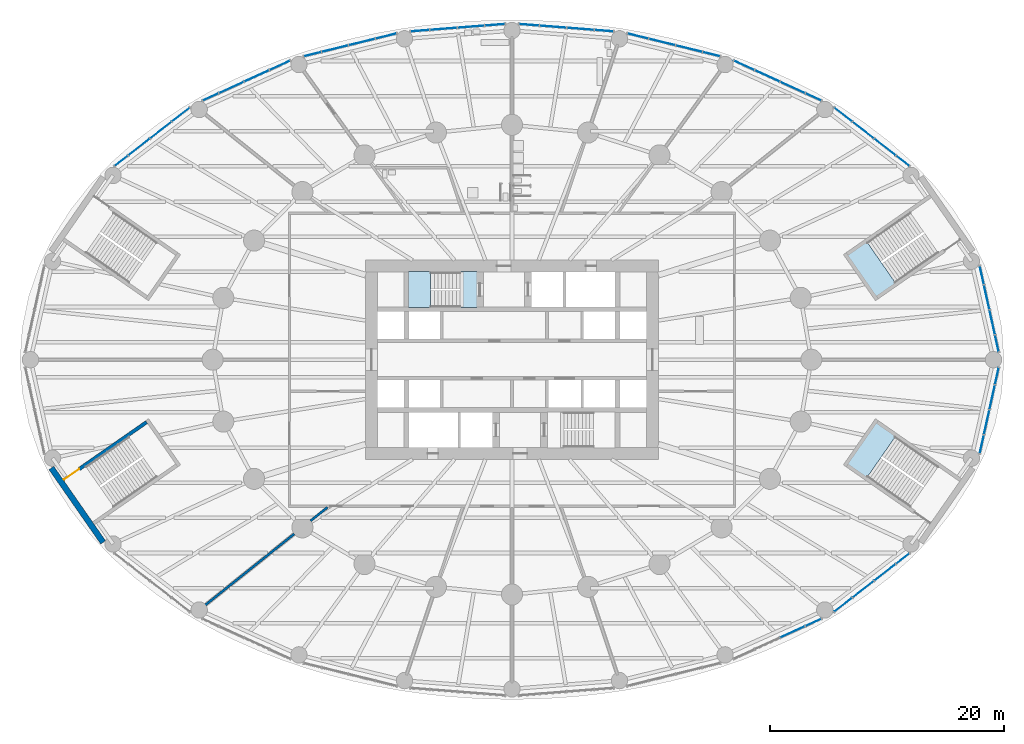
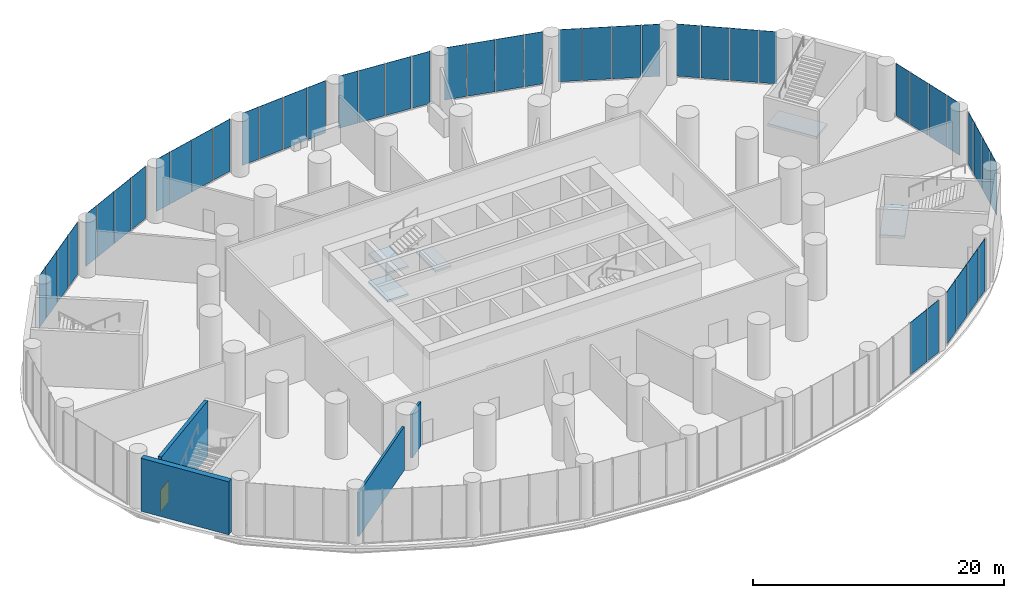
# One storey, part 15 of 23: 46 plates, 5 slabs, 4 walls, 1 door, 1 opening, 15 elements without a shape of their own.
"""IFC4 building model written with IfcOpenShell, lengths in metres."""

from ifc_helpers import new_model, si_unit, direction, frame, frame_2d, origin, origin_2d, place, context, subcontext, project, spatial, polyline, rectangle, outline, extrude, material, layer, layer_set, type_object, element, fill, aggregate, save


model = new_model("IFC4")

# Units and contexts
model_context = context("Model", 3, precision=1e-05, world=origin(), true_north=direction((0.0, 1.0)))
body_context = subcontext(model_context, "Body", "Model", "MODEL_VIEW")
ifc_project = project(units=[si_unit("LENGTHUNIT", "METRE"), si_unit("AREAUNIT", "SQUARE_METRE"), si_unit("VOLUMEUNIT", "CUBIC_METRE"), si_unit("PLANEANGLEUNIT", "RADIAN"), si_unit("MASSUNIT", "GRAM", prefix="KILO")], contexts=[model_context])

# Site, building, storey
site_placement = place(None, origin())
site = spatial("IfcSite", under=ifc_project, at=site_placement, CompositionType="ELEMENT")
building_placement = place(site_placement, origin())
building = spatial("IfcBuilding", under=site, at=building_placement, Name="Hankou Lantern Tower", CompositionType="ELEMENT")
storey_placement = place(building_placement, frame((0.0, 0.0, 19.199951171875)))
storey = spatial("IfcBuildingStorey", under=building, at=storey_placement, Name="L03", CompositionType="ELEMENT", Elevation=19.199951171875)

# Curtain wall, plates
ifc_material_1 = material(Name="Glass, dark grey tinted laminated", Category="glass")
curtain_wall_type = type_object("IfcCurtainWallType", Name="CWP PODIUM CURTAIN WALL", PredefinedType="USERDEFINED", material=ifc_material_1)
curtain_wall_1_placement = place(storey_placement, origin())
curtain_wall_1 = element("IfcCurtainWall", 1, at=curtain_wall_1_placement, inside=storey, type_object=curtain_wall_type, Name="CWP L03 PC01", ObjectType="PODIUM GLAZING", PredefinedType="USERDEFINED")
ifc_material_2 = material(Name="Glass, dark grey tinted laminated", Category="glass")
ifc_layer_1 = layer(ifc_material_2, 0.037109375)
ifc_layer_set_1 = layer_set([ifc_layer_1], Name="Glass, dark grey tinted laminated")
plate_type = type_object("IfcPlateType", Name="PN2 PODIUM GLASS PANEL", PredefinedType="CURTAIN_PANEL", material=ifc_layer_set_1)
plate_1_placement = place(storey_placement, frame((33.356689453125, 16.977294921875, 0.080078125), z_axis=(0.0, 0.0, 1.0), x_axis=(-0.790129760642, 0.612939606608, 0.0)))
plate_1 = element("IfcPlate", 2, at=plate_1_placement, type_object=plate_type, Name="CWP glass panel 1", PredefinedType="CURTAIN_PANEL", context=body_context, shape_type="SweptSolid", body=[
    extrude(rectangle(XDim=1.409423828125, YDim=0.031982421875, at=origin_2d()), origin(), (0.0, 0.0, 1.0), 5.070068359375),
])
plate_2_placement = place(storey_placement, frame((31.83935546875, 18.154296875, 0.080078125), z_axis=(0.0, 0.0, 1.0), x_axis=(-0.790129760642, 0.612939606608, 0.0)))
plate_2 = element("IfcPlate", 3, at=plate_2_placement, type_object=plate_type, Name="CWP glass panel 2", PredefinedType="CURTAIN_PANEL", context=body_context, shape_type="SweptSolid", body=[
    extrude(rectangle(XDim=2.270751953125, YDim=0.031982421875, at=origin_2d()), origin(), (0.0, 0.0, 1.0), 5.070068359375),
])
plate_3_placement = place(storey_placement, frame((29.98193359375, 19.59521484375, 0.080078125), z_axis=(0.0, 0.0, 1.0), x_axis=(-0.790129760642, 0.612939606608, 0.0)))
plate_3 = element("IfcPlate", 4, at=plate_3_placement, type_object=plate_type, Name="CWP glass panel 3", PredefinedType="CURTAIN_PANEL", context=body_context, shape_type="SweptSolid", body=[
    extrude(rectangle(XDim=2.270751953125, YDim=0.031982421875, at=origin_2d()), origin(), (0.0, 0.0, 1.0), 5.070068359375),
])
plate_4_placement = place(storey_placement, frame((28.27001953125, 20.923095703125, 0.080078125), z_axis=(0.0, 0.0, 1.0), x_axis=(-0.790129760642, 0.612939606608, 0.0)))
plate_4 = element("IfcPlate", 5, at=plate_4_placement, type_object=plate_type, Name="CWP glass panel 4", PredefinedType="CURTAIN_PANEL", context=body_context, shape_type="SweptSolid", body=[
    extrude(rectangle(XDim=1.90234375, YDim=0.031982421875, at=origin_2d()), origin(), (0.0, 0.0, 1.0), 5.070068359375),
])
aggregate(curtain_wall_1, [plate_1, plate_2, plate_3, plate_4])

curtain_wall_2_placement = place(storey_placement, origin())
curtain_wall_2 = element("IfcCurtainWall", 6, at=curtain_wall_2_placement, inside=storey, type_object=curtain_wall_type, Name="CWP L03 PC02", ObjectType="PODIUM GLAZING", PredefinedType="USERDEFINED")
plate_5_placement = place(storey_placement, frame((25.72802734375, 22.4267578125, 0.080078125), z_axis=(0.0, 0.0, 1.0), x_axis=(-0.909669790944, 0.41533224224, 0.0)))
plate_5 = element("IfcPlate", 7, at=plate_5_placement, type_object=plate_type, Name="CWP glass panel 1", PredefinedType="CURTAIN_PANEL", context=body_context, shape_type="SweptSolid", body=[
    extrude(rectangle(XDim=1.445068359375, YDim=0.031982421875, at=origin_2d()), origin(), (0.0, 0.0, 1.0), 5.070068359375),
])
plate_6_placement = place(storey_placement, frame((23.95361328125, 23.23681640625, 0.080078125), z_axis=(0.0, 0.0, 1.0), x_axis=(-0.909669790944, 0.41533224224, 0.0)))
plate_6 = element("IfcPlate", 8, at=plate_6_placement, type_object=plate_type, Name="CWP glass panel 2", PredefinedType="CURTAIN_PANEL", context=body_context, shape_type="SweptSolid", body=[
    extrude(rectangle(XDim=2.2958984375, YDim=0.031982421875, at=origin_2d()), origin(), (0.0, 0.0, 1.0), 5.070068359375),
])
plate_7_placement = place(storey_placement, frame((21.792236328125, 24.2236328125, 0.080078125), z_axis=(0.0, 0.0, 1.0), x_axis=(-0.909669790944, 0.41533224224, 0.0)))
plate_7 = element("IfcPlate", 9, at=plate_7_placement, type_object=plate_type, Name="CWP glass panel 3", PredefinedType="CURTAIN_PANEL", context=body_context, shape_type="SweptSolid", body=[
    extrude(rectangle(XDim=2.2958984375, YDim=0.031982421875, at=origin_2d()), origin(), (0.0, 0.0, 1.0), 5.070068359375),
])
plate_8_placement = place(storey_placement, frame((19.812744140625, 25.12744140625, 0.080078125), z_axis=(0.0, 0.0, 1.0), x_axis=(-0.909669790944, 0.41533224224, 0.0)))
plate_8 = element("IfcPlate", 10, at=plate_8_placement, type_object=plate_type, Name="CWP glass panel 4", PredefinedType="CURTAIN_PANEL", context=body_context, shape_type="SweptSolid", body=[
    extrude(rectangle(XDim=1.896240234375, YDim=0.031982421875, at=origin_2d()), origin(), (0.0, 0.0, 1.0), 5.070068359375),
])
aggregate(curtain_wall_2, [plate_5, plate_6, plate_7, plate_8])

curtain_wall_3_placement = place(storey_placement, origin())
curtain_wall_3 = element("IfcCurtainWall", 11, at=curtain_wall_3_placement, inside=storey, type_object=curtain_wall_type, Name="CWP L03 PC03", ObjectType="PODIUM GLAZING", PredefinedType="USERDEFINED")
plate_9_placement = place(storey_placement, frame((17.02001953125, 26.080810546875, 0.080078125), z_axis=(0.0, 0.0, 1.0), x_axis=(-0.970960955091, 0.239238006364, 0.0)))
plate_9 = element("IfcPlate", 12, at=plate_9_placement, type_object=plate_type, Name="CWP glass panel 1", PredefinedType="CURTAIN_PANEL", context=body_context, shape_type="SweptSolid", body=[
    extrude(rectangle(XDim=1.497314453125, YDim=0.031982421875, at=origin_2d()), origin(), (0.0, 0.0, 1.0), 5.070068359375),
])
plate_10_placement = place(storey_placement, frame((15.1064453125, 26.552490234375, 0.080078125), z_axis=(0.0, 0.0, 1.0), x_axis=(-0.970960955091, 0.239238006364, 0.0)))
plate_10 = element("IfcPlate", 13, at=plate_10_placement, type_object=plate_type, Name="CWP glass panel 2", PredefinedType="CURTAIN_PANEL", context=body_context, shape_type="SweptSolid", body=[
    extrude(rectangle(XDim=2.284423828125, YDim=0.031982421875, at=origin_2d()), origin(), (0.0, 0.0, 1.0), 5.070068359375),
])
plate_11_placement = place(storey_placement, frame((12.810791015625, 27.1181640625, 0.080078125), z_axis=(0.0, 0.0, 1.0), x_axis=(-0.970960955091, 0.239238006364, 0.0)))
plate_11 = element("IfcPlate", 14, at=plate_11_placement, type_object=plate_type, Name="CWP glass panel 3", PredefinedType="CURTAIN_PANEL", context=body_context, shape_type="SweptSolid", body=[
    extrude(rectangle(XDim=2.284423828125, YDim=0.031982421875, at=origin_2d()), origin(), (0.0, 0.0, 1.0), 5.070068359375),
])
plate_12_placement = place(storey_placement, frame((10.74658203125, 27.626708984375, 0.080078125), z_axis=(0.0, 0.0, 1.0), x_axis=(-0.970960955091, 0.239238006364, 0.0)))
plate_12 = element("IfcPlate", 15, at=plate_12_placement, type_object=plate_type, Name="CWP glass panel 4", PredefinedType="CURTAIN_PANEL", context=body_context, shape_type="SweptSolid", body=[
    extrude(rectangle(XDim=1.80712890625, YDim=0.031982421875, at=origin_2d()), origin(), (0.0, 0.0, 1.0), 5.070068359375),
])
aggregate(curtain_wall_3, [plate_9, plate_10, plate_11, plate_12])

curtain_wall_4_placement = place(storey_placement, origin())
curtain_wall_4 = element("IfcCurtainWall", 16, at=curtain_wall_4_placement, inside=storey, type_object=curtain_wall_type, Name="CWP L03 PC04", ObjectType="PODIUM GLAZING", PredefinedType="USERDEFINED")
plate_13_placement = place(storey_placement, frame((7.85205078125, 28.085205078125, 0.080078125), z_axis=(0.0, 0.0, 1.0), x_axis=(-0.996948515213, 0.078061885796, 0.0)))
plate_13 = element("IfcPlate", 17, at=plate_13_placement, type_object=plate_type, Name="CWP glass panel 1", PredefinedType="CURTAIN_PANEL", context=body_context, shape_type="SweptSolid", body=[
    extrude(rectangle(XDim=1.57861328125, YDim=0.031982421875, at=origin_2d()), origin(), (0.0, 0.0, 1.0), 5.070068359375),
])
plate_14_placement = place(storey_placement, frame((5.8544921875, 28.24169921875, 0.080078125), z_axis=(0.0, 0.0, 1.0), x_axis=(-0.996948515213, 0.078061885796, 0.0)))
plate_14 = element("IfcPlate", 18, at=plate_14_placement, type_object=plate_type, Name="CWP glass panel 2", PredefinedType="CURTAIN_PANEL", context=body_context, shape_type="SweptSolid", body=[
    extrude(rectangle(XDim=2.26904296875, YDim=0.031982421875, at=origin_2d()), origin(), (0.0, 0.0, 1.0), 5.070068359375),
])
plate_15_placement = place(storey_placement, frame((3.5126953125, 28.425048828125, 0.080078125), z_axis=(0.0, 0.0, 1.0), x_axis=(-0.996948515213, 0.078061885796, 0.0)))
plate_15 = element("IfcPlate", 19, at=plate_15_placement, type_object=plate_type, Name="CWP glass panel 3", PredefinedType="CURTAIN_PANEL", context=body_context, shape_type="SweptSolid", body=[
    extrude(rectangle(XDim=2.26904296875, YDim=0.031982421875, at=origin_2d()), origin(), (0.0, 0.0, 1.0), 5.070068359375),
])
plate_16_placement = place(storey_placement, frame((1.460205078125, 28.585693359375, 0.080078125), z_axis=(0.0, 0.0, 1.0), x_axis=(-0.996948515213, 0.078061885796, 0.0)))
plate_16 = element("IfcPlate", 20, at=plate_16_placement, type_object=plate_type, Name="CWP glass panel 4", PredefinedType="CURTAIN_PANEL", context=body_context, shape_type="SweptSolid", body=[
    extrude(rectangle(XDim=1.688232421875, YDim=0.031982421875, at=origin_2d()), origin(), (0.0, 0.0, 1.0), 5.070068359375),
])
aggregate(curtain_wall_4, [plate_13, plate_14, plate_15, plate_16])

curtain_wall_5_placement = place(storey_placement, origin())
curtain_wall_5 = element("IfcCurtainWall", 21, at=curtain_wall_5_placement, inside=storey, type_object=curtain_wall_type, Name="CWP L03 PC05", ObjectType="PODIUM GLAZING", PredefinedType="USERDEFINED")
plate_17_placement = place(storey_placement, frame((-1.460205078125, 28.585693359375, 0.080078125), z_axis=(0.0, 0.0, 1.0), x_axis=(-0.996948515213, -0.078061885796, 0.0)))
plate_17 = element("IfcPlate", 22, at=plate_17_placement, type_object=plate_type, Name="CWP glass panel 1", PredefinedType="CURTAIN_PANEL", context=body_context, shape_type="SweptSolid", body=[
    extrude(rectangle(XDim=1.688232421875, YDim=0.031982421875, at=origin_2d()), origin(), (0.0, 0.0, 1.0), 5.070068359375),
])
plate_18_placement = place(storey_placement, frame((-3.5126953125, 28.425048828125, 0.080078125), z_axis=(0.0, 0.0, 1.0), x_axis=(-0.996948515213, -0.078061885796, 0.0)))
plate_18 = element("IfcPlate", 23, at=plate_18_placement, type_object=plate_type, Name="CWP glass panel 2", PredefinedType="CURTAIN_PANEL", context=body_context, shape_type="SweptSolid", body=[
    extrude(rectangle(XDim=2.26904296875, YDim=0.031982421875, at=origin_2d()), origin(), (0.0, 0.0, 1.0), 5.070068359375),
])
plate_19_placement = place(storey_placement, frame((-5.8544921875, 28.24169921875, 0.080078125), z_axis=(0.0, 0.0, 1.0), x_axis=(-0.996948515213, -0.078061885796, 0.0)))
plate_19 = element("IfcPlate", 24, at=plate_19_placement, type_object=plate_type, Name="CWP glass panel 3", PredefinedType="CURTAIN_PANEL", context=body_context, shape_type="SweptSolid", body=[
    extrude(rectangle(XDim=2.26904296875, YDim=0.031982421875, at=origin_2d()), origin(), (0.0, 0.0, 1.0), 5.070068359375),
])
plate_20_placement = place(storey_placement, frame((-7.85205078125, 28.085205078125, 0.080078125), z_axis=(0.0, 0.0, 1.0), x_axis=(-0.996948515213, -0.078061885796, 0.0)))
plate_20 = element("IfcPlate", 25, at=plate_20_placement, type_object=plate_type, Name="CWP glass panel 4", PredefinedType="CURTAIN_PANEL", context=body_context, shape_type="SweptSolid", body=[
    extrude(rectangle(XDim=1.57861328125, YDim=0.031982421875, at=origin_2d()), origin(), (0.0, 0.0, 1.0), 5.070068359375),
])
aggregate(curtain_wall_5, [plate_17, plate_18, plate_19, plate_20])

curtain_wall_6_placement = place(storey_placement, origin())
curtain_wall_6 = element("IfcCurtainWall", 26, at=curtain_wall_6_placement, inside=storey, type_object=curtain_wall_type, Name="CWP L03 PC06", ObjectType="PODIUM GLAZING", PredefinedType="USERDEFINED")
plate_21_placement = place(storey_placement, frame((-10.74658203125, 27.626708984375, 0.080078125), z_axis=(0.0, 0.0, 1.0), x_axis=(-0.970960955091, -0.239238006364, 0.0)))
plate_21 = element("IfcPlate", 27, at=plate_21_placement, type_object=plate_type, Name="CWP glass panel 1", PredefinedType="CURTAIN_PANEL", context=body_context, shape_type="SweptSolid", body=[
    extrude(rectangle(XDim=1.80712890625, YDim=0.031982421875, at=origin_2d()), origin(), (0.0, 0.0, 1.0), 5.070068359375),
])
plate_22_placement = place(storey_placement, frame((-12.810791015625, 27.1181640625, 0.080078125), z_axis=(0.0, 0.0, 1.0), x_axis=(-0.970960955091, -0.239238006364, 0.0)))
plate_22 = element("IfcPlate", 28, at=plate_22_placement, type_object=plate_type, Name="CWP glass panel 2", PredefinedType="CURTAIN_PANEL", context=body_context, shape_type="SweptSolid", body=[
    extrude(rectangle(XDim=2.284423828125, YDim=0.031982421875, at=origin_2d()), origin(), (0.0, 0.0, 1.0), 5.070068359375),
])
plate_23_placement = place(storey_placement, frame((-15.1064453125, 26.552490234375, 0.080078125), z_axis=(0.0, 0.0, 1.0), x_axis=(-0.970960955091, -0.239238006364, 0.0)))
plate_23 = element("IfcPlate", 29, at=plate_23_placement, type_object=plate_type, Name="CWP glass panel 3", PredefinedType="CURTAIN_PANEL", context=body_context, shape_type="SweptSolid", body=[
    extrude(rectangle(XDim=2.284423828125, YDim=0.031982421875, at=origin_2d()), origin(), (0.0, 0.0, 1.0), 5.070068359375),
])
plate_24_placement = place(storey_placement, frame((-17.02001953125, 26.080810546875, 0.080078125), z_axis=(0.0, 0.0, 1.0), x_axis=(-0.970960955091, -0.239238006364, 0.0)))
plate_24 = element("IfcPlate", 30, at=plate_24_placement, type_object=plate_type, Name="CWP glass panel 4", PredefinedType="CURTAIN_PANEL", context=body_context, shape_type="SweptSolid", body=[
    extrude(rectangle(XDim=1.497314453125, YDim=0.031982421875, at=origin_2d()), origin(), (0.0, 0.0, 1.0), 5.070068359375),
])
aggregate(curtain_wall_6, [plate_21, plate_22, plate_23, plate_24])

curtain_wall_7_placement = place(storey_placement, origin())
curtain_wall_7 = element("IfcCurtainWall", 31, at=curtain_wall_7_placement, inside=storey, type_object=curtain_wall_type, Name="CWP L03 PC07", ObjectType="PODIUM GLAZING", PredefinedType="USERDEFINED")
plate_25_placement = place(storey_placement, frame((-19.812744140625, 25.12744140625, 0.080078125), z_axis=(0.0, 0.0, 1.0), x_axis=(-0.909669790944, -0.41533224224, 0.0)))
plate_25 = element("IfcPlate", 32, at=plate_25_placement, type_object=plate_type, Name="CWP glass panel 1", PredefinedType="CURTAIN_PANEL", context=body_context, shape_type="SweptSolid", body=[
    extrude(rectangle(XDim=1.896240234375, YDim=0.031982421875, at=origin_2d()), origin(), (0.0, 0.0, 1.0), 5.070068359375),
])
plate_26_placement = place(storey_placement, frame((-21.792236328125, 24.2236328125, 0.080078125), z_axis=(0.0, 0.0, 1.0), x_axis=(-0.909669790944, -0.41533224224, 0.0)))
plate_26 = element("IfcPlate", 33, at=plate_26_placement, type_object=plate_type, Name="CWP glass panel 2", PredefinedType="CURTAIN_PANEL", context=body_context, shape_type="SweptSolid", body=[
    extrude(rectangle(XDim=2.2958984375, YDim=0.031982421875, at=origin_2d()), origin(), (0.0, 0.0, 1.0), 5.070068359375),
])
plate_27_placement = place(storey_placement, frame((-23.95361328125, 23.23681640625, 0.080078125), z_axis=(0.0, 0.0, 1.0), x_axis=(-0.909669790944, -0.41533224224, 0.0)))
plate_27 = element("IfcPlate", 34, at=plate_27_placement, type_object=plate_type, Name="CWP glass panel 3", PredefinedType="CURTAIN_PANEL", context=body_context, shape_type="SweptSolid", body=[
    extrude(rectangle(XDim=2.2958984375, YDim=0.031982421875, at=origin_2d()), origin(), (0.0, 0.0, 1.0), 5.070068359375),
])
plate_28_placement = place(storey_placement, frame((-25.72802734375, 22.4267578125, 0.080078125), z_axis=(0.0, 0.0, 1.0), x_axis=(-0.909669790944, -0.41533224224, 0.0)))
plate_28 = element("IfcPlate", 35, at=plate_28_placement, type_object=plate_type, Name="CWP glass panel 4", PredefinedType="CURTAIN_PANEL", context=body_context, shape_type="SweptSolid", body=[
    extrude(rectangle(XDim=1.445068359375, YDim=0.031982421875, at=origin_2d()), origin(), (0.0, 0.0, 1.0), 5.070068359375),
])
aggregate(curtain_wall_7, [plate_25, plate_26, plate_27, plate_28])

curtain_wall_8_placement = place(storey_placement, origin())
curtain_wall_8 = element("IfcCurtainWall", 36, at=curtain_wall_8_placement, inside=storey, type_object=curtain_wall_type, Name="CWP L03 PC08", ObjectType="PODIUM GLAZING", PredefinedType="USERDEFINED")
plate_29_placement = place(storey_placement, frame((-28.27001953125, 20.923095703125, 0.080078125), z_axis=(0.0, 0.0, 1.0), x_axis=(-0.790129760642, -0.612939606608, 0.0)))
plate_29 = element("IfcPlate", 37, at=plate_29_placement, type_object=plate_type, Name="CWP glass panel 1", PredefinedType="CURTAIN_PANEL", context=body_context, shape_type="SweptSolid", body=[
    extrude(rectangle(XDim=1.90234375, YDim=0.031982421875, at=origin_2d()), origin(), (0.0, 0.0, 1.0), 5.070068359375),
])
plate_30_placement = place(storey_placement, frame((-29.98193359375, 19.59521484375, 0.080078125), z_axis=(0.0, 0.0, 1.0), x_axis=(-0.790129760642, -0.612939606608, 0.0)))
plate_30 = element("IfcPlate", 38, at=plate_30_placement, type_object=plate_type, Name="CWP glass panel 2", PredefinedType="CURTAIN_PANEL", context=body_context, shape_type="SweptSolid", body=[
    extrude(rectangle(XDim=2.270751953125, YDim=0.031982421875, at=origin_2d()), origin(), (0.0, 0.0, 1.0), 5.070068359375),
])
plate_31_placement = place(storey_placement, frame((-31.83935546875, 18.154296875, 0.080078125), z_axis=(0.0, 0.0, 1.0), x_axis=(-0.790129760642, -0.612939606608, 0.0)))
plate_31 = element("IfcPlate", 39, at=plate_31_placement, type_object=plate_type, Name="CWP glass panel 3", PredefinedType="CURTAIN_PANEL", context=body_context, shape_type="SweptSolid", body=[
    extrude(rectangle(XDim=2.270751953125, YDim=0.031982421875, at=origin_2d()), origin(), (0.0, 0.0, 1.0), 5.070068359375),
])
plate_32_placement = place(storey_placement, frame((-33.356689453125, 16.977294921875, 0.080078125), z_axis=(0.0, 0.0, 1.0), x_axis=(-0.790129760642, -0.612939606608, 0.0)))
plate_32 = element("IfcPlate", 40, at=plate_32_placement, type_object=plate_type, Name="CWP glass panel 4", PredefinedType="CURTAIN_PANEL", context=body_context, shape_type="SweptSolid", body=[
    extrude(rectangle(XDim=1.409423828125, YDim=0.031982421875, at=origin_2d()), origin(), (0.0, 0.0, 1.0), 5.070068359375),
])
aggregate(curtain_wall_8, [plate_29, plate_30, plate_31, plate_32])

curtain_wall_9_placement = place(storey_placement, origin())
curtain_wall_9 = element("IfcCurtainWall", 41, at=curtain_wall_9_placement, inside=storey, type_object=curtain_wall_type, Name="CWP L03 PC17", ObjectType="PODIUM GLAZING", PredefinedType="USERDEFINED")
plate_33_placement = place(storey_placement, frame((23.95361328125, -23.23681640625, 0.080078125), z_axis=(0.0, 0.0, 1.0), x_axis=(0.909669790944, 0.41533224224, 0.0)))
plate_33 = element("IfcPlate", 42, at=plate_33_placement, type_object=plate_type, Name="CWP glass panel 3", PredefinedType="CURTAIN_PANEL", context=body_context, shape_type="SweptSolid", body=[
    extrude(rectangle(XDim=2.2958984375, YDim=0.031982421875, at=origin_2d()), origin(), (0.0, 0.0, 1.0), 5.070068359375),
])
plate_34_placement = place(storey_placement, frame((25.72802734375, -22.4267578125, 0.080078125), z_axis=(0.0, 0.0, 1.0), x_axis=(0.909669790944, 0.41533224224, 0.0)))
plate_34 = element("IfcPlate", 43, at=plate_34_placement, type_object=plate_type, Name="CWP glass panel 4", PredefinedType="CURTAIN_PANEL", context=body_context, shape_type="SweptSolid", body=[
    extrude(rectangle(XDim=1.445068359375, YDim=0.031982421875, at=origin_2d()), origin(), (0.0, 0.0, 1.0), 5.070068359375),
])
aggregate(curtain_wall_9, [plate_33, plate_34])

curtain_wall_10_placement = place(storey_placement, origin())
curtain_wall_10 = element("IfcCurtainWall", 44, at=curtain_wall_10_placement, inside=storey, type_object=curtain_wall_type, Name="CWP L03 PC18", ObjectType="PODIUM GLAZING", PredefinedType="USERDEFINED")
plate_35_placement = place(storey_placement, frame((28.27001953125, -20.923095703125, 0.080078125), z_axis=(0.0, 0.0, 1.0), x_axis=(0.790129760642, 0.612939606608, 0.0)))
plate_35 = element("IfcPlate", 45, at=plate_35_placement, type_object=plate_type, Name="CWP glass panel 1", PredefinedType="CURTAIN_PANEL", context=body_context, shape_type="SweptSolid", body=[
    extrude(rectangle(XDim=1.90234375, YDim=0.031982421875, at=origin_2d()), origin(), (0.0, 0.0, 1.0), 5.070068359375),
])
plate_36_placement = place(storey_placement, frame((29.98193359375, -19.59521484375, 0.080078125), z_axis=(0.0, 0.0, 1.0), x_axis=(0.790129760642, 0.612939606608, 0.0)))
plate_36 = element("IfcPlate", 46, at=plate_36_placement, type_object=plate_type, Name="CWP glass panel 2", PredefinedType="CURTAIN_PANEL", context=body_context, shape_type="SweptSolid", body=[
    extrude(rectangle(XDim=2.270751953125, YDim=0.031982421875, at=origin_2d()), origin(), (0.0, 0.0, 1.0), 5.070068359375),
])
plate_37_placement = place(storey_placement, frame((31.83935546875, -18.154296875, 0.080078125), z_axis=(0.0, 0.0, 1.0), x_axis=(0.790129760642, 0.612939606608, 0.0)))
plate_37 = element("IfcPlate", 47, at=plate_37_placement, type_object=plate_type, Name="CWP glass panel 3", PredefinedType="CURTAIN_PANEL", context=body_context, shape_type="SweptSolid", body=[
    extrude(rectangle(XDim=2.270751953125, YDim=0.031982421875, at=origin_2d()), origin(), (0.0, 0.0, 1.0), 5.070068359375),
])
plate_38_placement = place(storey_placement, frame((33.356689453125, -16.977294921875, 0.080078125), z_axis=(0.0, 0.0, 1.0), x_axis=(0.790129760642, 0.612939606608, 0.0)))
plate_38 = element("IfcPlate", 48, at=plate_38_placement, type_object=plate_type, Name="CWP glass panel 4", PredefinedType="CURTAIN_PANEL", context=body_context, shape_type="SweptSolid", body=[
    extrude(rectangle(XDim=1.409423828125, YDim=0.031982421875, at=origin_2d()), origin(), (0.0, 0.0, 1.0), 5.070068359375),
])
aggregate(curtain_wall_10, [plate_35, plate_36, plate_37, plate_38])

curtain_wall_11_placement = place(storey_placement, origin())
curtain_wall_11 = element("IfcCurtainWall", 49, at=curtain_wall_11_placement, inside=storey, type_object=curtain_wall_type, Name="CWP L03 PC19", ObjectType="PODIUM GLAZING", PredefinedType="USERDEFINED")
plate_39_placement = place(storey_placement, frame((40.105224609375, -7.214599609375, 0.080078125), z_axis=(0.0, 0.0, 1.0), x_axis=(0.215821488116, 0.976432837049, 0.0)))
plate_39 = element("IfcPlate", 50, at=plate_39_placement, type_object=plate_type, Name="CWP glass panel 1", PredefinedType="CURTAIN_PANEL", context=body_context, shape_type="SweptSolid", body=[
    extrude(rectangle(XDim=1.5869140625, YDim=0.031982421875, at=origin_2d()), origin(), (0.0, 0.0, 1.0), 5.070068359375),
])
plate_40_placement = place(storey_placement, frame((40.52099609375, -5.333984375, 0.080078125), z_axis=(0.0, 0.0, 1.0), x_axis=(0.215821488116, 0.976432837049, 0.0)))
plate_40 = element("IfcPlate", 51, at=plate_40_placement, type_object=plate_type, Name="CWP glass panel 2", PredefinedType="CURTAIN_PANEL", context=body_context, shape_type="SweptSolid", body=[
    extrude(rectangle(XDim=2.105224609375, YDim=0.031982421875, at=origin_2d()), origin(), (0.0, 0.0, 1.0), 5.070068359375),
])
plate_41_placement = place(storey_placement, frame((40.99267578125, -3.200439453125, 0.080078125), z_axis=(0.0, 0.0, 1.0), x_axis=(0.215821488116, 0.976432837049, 0.0)))
plate_41 = element("IfcPlate", 52, at=plate_41_placement, type_object=plate_type, Name="CWP glass panel 3", PredefinedType="CURTAIN_PANEL", context=body_context, shape_type="SweptSolid", body=[
    extrude(rectangle(XDim=2.105224609375, YDim=0.031982421875, at=origin_2d()), origin(), (0.0, 0.0, 1.0), 5.070068359375),
])
plate_42_placement = place(storey_placement, frame((41.391357421875, -1.396484375, 0.080078125), z_axis=(0.0, 0.0, 1.0), x_axis=(0.215821488116, 0.976432837049, 0.0)))
plate_42 = element("IfcPlate", 53, at=plate_42_placement, type_object=plate_type, Name="CWP glass panel 4", PredefinedType="CURTAIN_PANEL", context=body_context, shape_type="SweptSolid", body=[
    extrude(rectangle(XDim=1.4296875, YDim=0.031982421875, at=origin_2d()), origin(), (0.0, 0.0, 1.0), 5.070068359375),
])
aggregate(curtain_wall_11, [plate_39, plate_40, plate_41, plate_42])

curtain_wall_12_placement = place(storey_placement, origin())
curtain_wall_12 = element("IfcCurtainWall", 54, at=curtain_wall_12_placement, inside=storey, type_object=curtain_wall_type, Name="CWP L03 PC20", ObjectType="PODIUM GLAZING", PredefinedType="USERDEFINED")
plate_43_placement = place(storey_placement, frame((41.391357421875, 1.396484375, 0.080078125), z_axis=(0.0, 0.0, 1.0), x_axis=(-0.215821488116, 0.976432837049, 0.0)))
plate_43 = element("IfcPlate", 55, at=plate_43_placement, type_object=plate_type, Name="CWP glass panel 1", PredefinedType="CURTAIN_PANEL", context=body_context, shape_type="SweptSolid", body=[
    extrude(rectangle(XDim=1.4296875, YDim=0.031982421875, at=origin_2d()), origin(), (0.0, 0.0, 1.0), 5.070068359375),
])
plate_44_placement = place(storey_placement, frame((40.99267578125, 3.200439453125, 0.080078125), z_axis=(0.0, 0.0, 1.0), x_axis=(-0.215821488116, 0.976432837049, 0.0)))
plate_44 = element("IfcPlate", 56, at=plate_44_placement, type_object=plate_type, Name="CWP glass panel 2", PredefinedType="CURTAIN_PANEL", context=body_context, shape_type="SweptSolid", body=[
    extrude(rectangle(XDim=2.105224609375, YDim=0.031982421875, at=origin_2d()), origin(), (0.0, 0.0, 1.0), 5.070068359375),
])
plate_45_placement = place(storey_placement, frame((40.52099609375, 5.333984375, 0.080078125), z_axis=(0.0, 0.0, 1.0), x_axis=(-0.215821488116, 0.976432837049, 0.0)))
plate_45 = element("IfcPlate", 57, at=plate_45_placement, type_object=plate_type, Name="CWP glass panel 3", PredefinedType="CURTAIN_PANEL", context=body_context, shape_type="SweptSolid", body=[
    extrude(rectangle(XDim=2.105224609375, YDim=0.031982421875, at=origin_2d()), origin(), (0.0, 0.0, 1.0), 5.070068359375),
])
plate_46_placement = place(storey_placement, frame((40.105224609375, 7.214599609375, 0.080078125), z_axis=(0.0, 0.0, 1.0), x_axis=(-0.215821488116, 0.976432837049, 0.0)))
plate_46 = element("IfcPlate", 58, at=plate_46_placement, type_object=plate_type, Name="CWP glass panel 4", PredefinedType="CURTAIN_PANEL", context=body_context, shape_type="SweptSolid", body=[
    extrude(rectangle(XDim=1.5869140625, YDim=0.031982421875, at=origin_2d()), origin(), (0.0, 0.0, 1.0), 5.070068359375),
])
aggregate(curtain_wall_12, [plate_43, plate_44, plate_45, plate_46])

# Stair, slabs
ifc_material_3 = material(Name="Concrete C40", Category="concrete")
stair_type_1 = type_object("IfcStairType", Name="ST54 CORE STAIR 5400 RISE", PredefinedType="HALF_TURN_STAIR", material=ifc_material_3)
stair_1_placement = place(storey_placement, origin())
stair_1 = element("IfcStair", 59, at=stair_1_placement, inside=storey, type_object=stair_type_1, Name="Stair STA L03", PredefinedType="HALF_TURN_STAIR")
ifc_material_4 = material(Name="Concrete C40", Category="concrete")
ifc_layer_2 = layer(ifc_material_4, 0.199951171875)
ifc_layer_set_2 = layer_set([ifc_layer_2], Name="Concrete C40")
slab_type_1 = type_object("IfcSlabType", Name="SL1 STAIR LANDING 200", PredefinedType="LANDING", material=ifc_layer_set_2)
slab_1_placement = place(storey_placement, frame((0.0, 0.0, 1.150146484375)))
slab_1 = element("IfcSlab", 60, at=slab_1_placement, type_object=slab_type_1, Name="STA landing 1", PredefinedType="LANDING", context=body_context, shape_type="SweptSolid", body=[
    extrude(outline(polyline([(-8.85009765625, 4.449951171875), (-6.949951171875, 4.449951171875), (-6.949951171875, 7.550048828125), (-8.85009765625, 7.550048828125), (-8.85009765625, 4.449951171875)])), origin(), (0.0, 0.0, 1.0), 0.199951171875),
])
slab_2_placement = place(storey_placement, frame((0.0, 0.0, 2.5)))
slab_2 = element("IfcSlab", 61, at=slab_2_placement, type_object=slab_type_1, Name="STA landing 2", PredefinedType="LANDING", context=body_context, shape_type="SweptSolid", body=[
    extrude(outline(polyline([(-4.449951171875, 4.449951171875), (-3.0, 4.449951171875), (-3.0, 7.550048828125), (-4.449951171875, 7.550048828125), (-4.449951171875, 4.449951171875)])), origin(), (0.0, 0.0, 1.0), 0.199951171875),
])
slab_3_placement = place(storey_placement, frame((0.0, 0.0, 3.85009765625)))
slab_3 = element("IfcSlab", 62, at=slab_3_placement, type_object=slab_type_1, Name="STA landing 3", PredefinedType="LANDING", context=body_context, shape_type="SweptSolid", body=[
    extrude(outline(polyline([(-8.85009765625, 4.449951171875), (-6.949951171875, 4.449951171875), (-6.949951171875, 7.550048828125), (-8.85009765625, 7.550048828125), (-8.85009765625, 4.449951171875)])), origin(), (0.0, 0.0, 1.0), 0.199951171875),
])
aggregate(stair_1, [slab_1, slab_2, slab_3])

# Stair, slab
ifc_material_5 = material(Name="Concrete C40", Category="concrete")
stair_type_2 = type_object("IfcStairType", Name="PS54 PODIUM STAIR 5400 RISE", PredefinedType="HALF_TURN_STAIR", material=ifc_material_5)
stair_2_placement = place(storey_placement, origin())
stair_2 = element("IfcStair", 63, at=stair_2_placement, inside=storey, type_object=stair_type_2, Name="Stair P1 L03", PredefinedType="HALF_TURN_STAIR")
ifc_material_6 = material(Name="Concrete C40", Category="concrete")
ifc_layer_3 = layer(ifc_material_6, 0.25)
ifc_layer_set_3 = layer_set([ifc_layer_3], Name="Concrete C40")
slab_type_2 = type_object("IfcSlabType", Name="SL2 PODIUM STAIR LANDING 250", PredefinedType="LANDING", material=ifc_layer_set_3)
slab_4_placement = place(storey_placement, frame((0.0, 0.0, 2.449951171875)))
slab_4 = element("IfcSlab", 64, at=slab_4_placement, type_object=slab_type_2, Name="P1 landing 1", PredefinedType="LANDING", context=body_context, shape_type="SweptSolid", body=[
    extrude(outline(polyline([(32.75, 6.53564453125), (30.294677734375, 10.065673828125), (28.636474609375, 8.912109375), (31.091796875, 5.382080078125), (32.75, 6.53564453125)])), origin(), (0.0, 0.0, 1.0), 0.25),
])
aggregate(stair_2, [slab_4])

stair_3_placement = place(storey_placement, origin())
stair_3 = element("IfcStair", 65, at=stair_3_placement, inside=storey, type_object=stair_type_2, Name="Stair P4 L03", PredefinedType="HALF_TURN_STAIR")
slab_5_placement = place(storey_placement, frame((0.0, 0.0, 2.449951171875)))
slab_5 = element("IfcSlab", 66, at=slab_5_placement, type_object=slab_type_2, Name="P4 landing 1", PredefinedType="LANDING", context=body_context, shape_type="SweptSolid", body=[
    extrude(outline(polyline([(30.294677734375, -10.065673828125), (32.75, -6.53564453125), (31.091796875, -5.382080078125), (28.636474609375, -8.912109375), (30.294677734375, -10.065673828125)])), origin(), (0.0, 0.0, 1.0), 0.25),
])
aggregate(stair_3, [slab_5])

# Wall, opening, door
ifc_material_7 = material(Name="Concrete C50", Category="concrete")
ifc_layer_4 = layer(ifc_material_7, 0.300048828125)
ifc_layer_set_4 = layer_set([ifc_layer_4], Name="Concrete C50")
wall_type_1 = type_object("IfcWallType", Name="CW7 PODIUM STAIR WALL 300", PredefinedType="SHEAR", material=ifc_layer_set_4)
wall_1_placement = place(storey_placement, frame((-38.29931640625, -10.273681640625, 0.0), z_axis=(0.0, 0.0, 1.0), x_axis=(0.820936803751, 0.571019057692, 0.0)))
wall_1 = element("IfcWall", 67, at=wall_1_placement, inside=storey, type_object=wall_type_1, Name="Podium stair P3 wall", PredefinedType="SHEAR", context=body_context, shape_type="SweptSolid", body=[
    extrude(rectangle(XDim=8.66015625, YDim=0.300048828125, at=frame_2d((4.330078125, 0.0))), origin(), (0.0, 0.0, 1.0), 5.400146484375),
])
opening_placement = place(wall_1_placement, frame((0.050048828125, 0.0, 0.0)))
opening = element("IfcOpeningElement", 68, at=opening_placement, cuts=wall_1, Name="Opening D16", PredefinedType="OPENING", context=body_context, shape_type="SweptSolid", body=[
    extrude(rectangle(XDim=1.60009765625, YDim=2.10009765625, at=frame_2d((0.800048828125, 1.050048828125))), frame((0.0, 0.159912109375, 0.0), z_axis=(0.0, -1.0, 0.0), x_axis=(1.0, 0.0, 0.0)), (0.0, 0.0, 1.0), 0.320068359375),
])
ifc_material_8 = material(Name="Steel door leaf", Category="steel")
door_type = type_object("IfcDoorType", Name="D16 PODIUM STAIR DOOR 1600X2100", OperationType="SINGLE_SWING_LEFT", PredefinedType="DOOR", material=ifc_material_8)
door_placement = place(opening_placement, origin())
door = element("IfcDoor", 69, at=door_placement, inside=storey, type_object=door_type, Name="Podium stair P3 door", OperationType="SINGLE_SWING_RIGHT", OverallHeight=2.10009765625, OverallWidth=1.60009765625, PredefinedType="DOOR", context=body_context, shape_type="SweptSolid", body=[
    extrude(rectangle(XDim=1.60009765625, YDim=2.10009765625, at=frame_2d((0.800048828125, 1.050048828125))), frame((0.0, 0.02490234375, 0.0), z_axis=(0.0, -1.0, 0.0), x_axis=(1.0, 0.0, 0.0)), (0.0, 0.0, 1.0), 0.050048828125),
])
fill(opening, door)

# Walls
ifc_material_9 = material(Name="Granite cladding on reinforced concrete C50", Category="masonry")
ifc_layer_5 = layer(ifc_material_9, 0.5)
ifc_layer_set_5 = layer_set([ifc_layer_5], Name="Granite cladding on reinforced concrete C50")
wall_type_2 = type_object("IfcWallType", Name="EW2 STONE PORTAL WALL 500", PredefinedType="SOLIDWALL", material=ifc_layer_set_5)
wall_2_placement = place(storey_placement, frame((-39.3203125, -9.24365234375, 0.0), z_axis=(0.0, 0.0, 1.0), x_axis=(0.571029335057, -0.820929655028, 0.0)))
element("IfcWall", 70, at=wall_2_placement, inside=storey, type_object=wall_type_2, Name="Portal wall R14 L03", PredefinedType="SOLIDWALL", context=body_context, shape_type="SweptSolid", body=[
    extrude(rectangle(XDim=7.732666015625, YDim=0.5, at=frame_2d((3.8662109375, 0.0))), origin(), (0.0, 0.0, 1.0), 5.150146484375),
])
ifc_material_10 = material(Name="Masonry lightweight concrete block", Category="masonry")
ifc_layer_6 = layer(ifc_material_10, 0.199951171875)
ifc_layer_set_6 = layer_set([ifc_layer_6], Name="Masonry lightweight concrete block")
wall_type_3 = type_object("IfcWallType", Name="IW8 PARTITION 200", PredefinedType="PARTITIONING", material=ifc_layer_set_6)
wall_3_placement = place(storey_placement, frame((-15.75, -12.60009765625, 0.0), z_axis=(0.0, 0.0, 1.0), x_axis=(-0.780881734892, -0.6246788904, 0.0)))
element("IfcWall", 71, at=wall_3_placement, inside=storey, type_object=wall_type_3, Name="Partition R16", PredefinedType="PARTITIONING", context=body_context, shape_type="SweptSolid", body=[
    extrude(rectangle(XDim=1.8427734375, YDim=0.199951171875, at=frame_2d((0.92138671875, 0.0))), origin(), (0.0, 0.0, 1.0), 4.300048828125),
])
wall_4_placement = place(storey_placement, frame((-18.594482421875, -14.87548828125, 0.0), z_axis=(0.0, 0.0, 1.0), x_axis=(-0.780868809443, -0.624695047554, 0.0)))
element("IfcWall", 72, at=wall_4_placement, inside=storey, type_object=wall_type_3, Name="Partition R16", PredefinedType="PARTITIONING", context=body_context, shape_type="SweptSolid", body=[
    extrude(rectangle(XDim=9.883056640625, YDim=0.199951171875, at=frame_2d((4.94140625, 0.0))), origin(), (0.0, 0.0, 1.0), 4.25),
])

save(model, "model.ifc")
